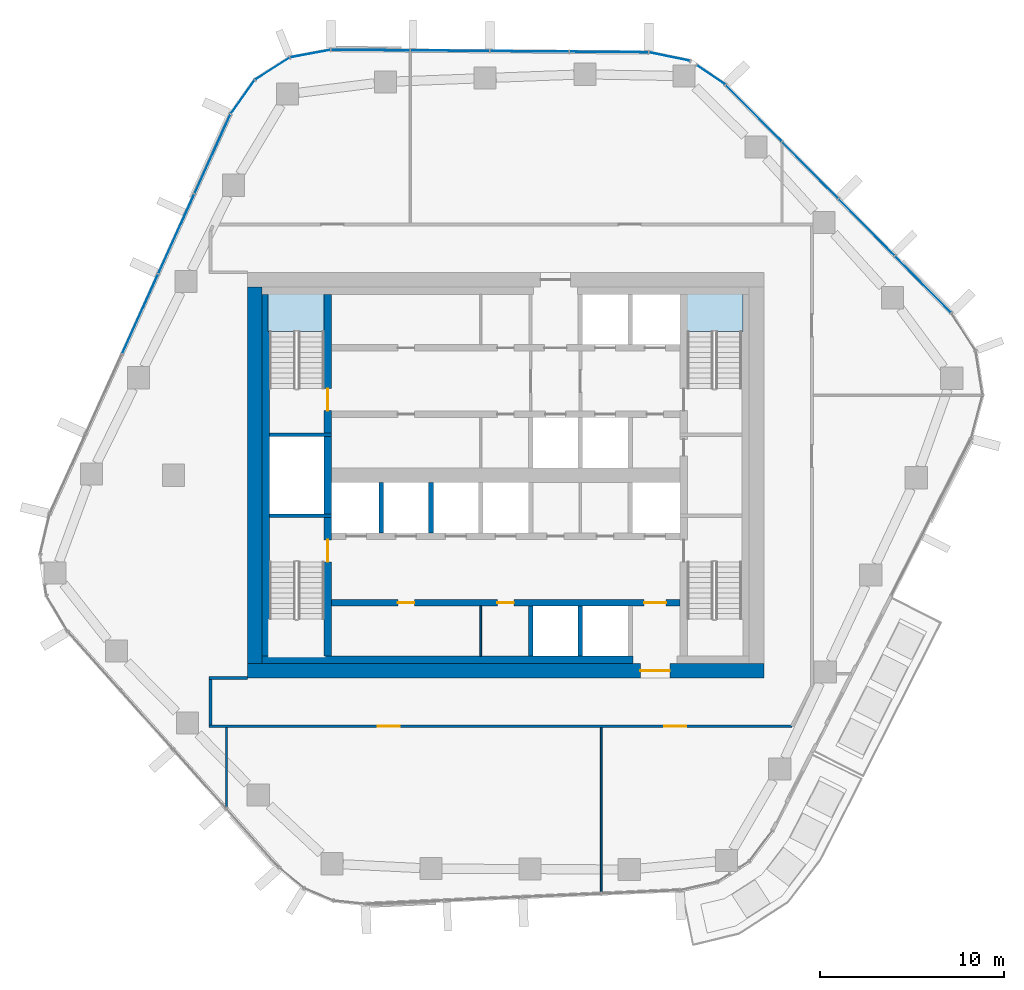
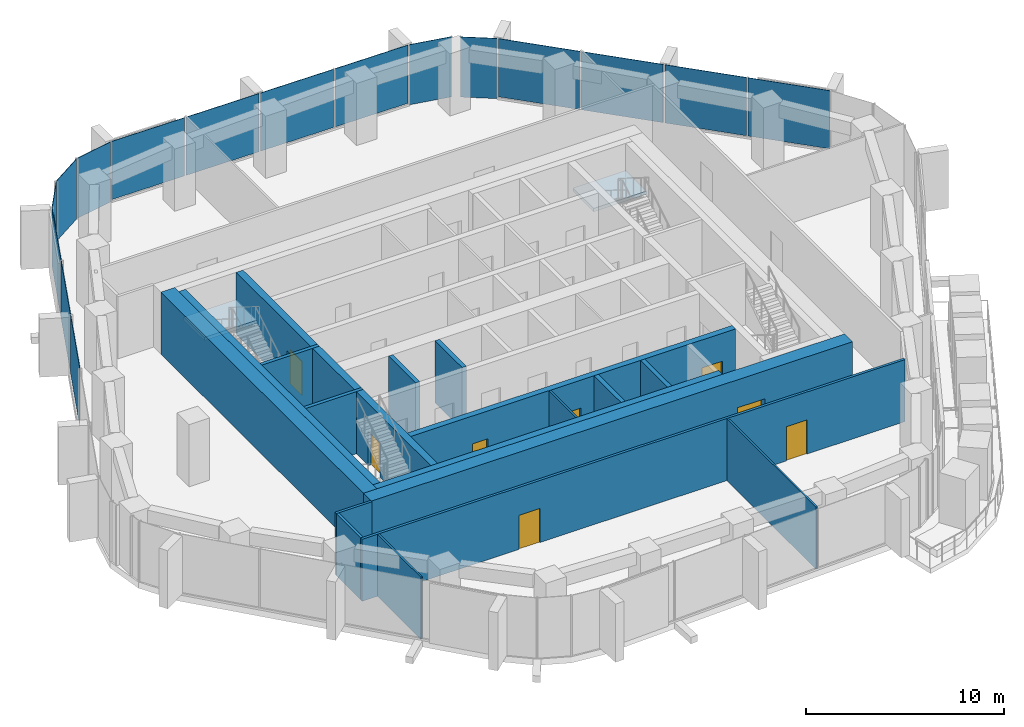
# One storey, part 10 of 17: 20 walls, 16 plates, 8 doors, 2 slabs, 8 openings, 8 elements without a shape of their own.
"""IFC4 building model written with IfcOpenShell, lengths in metres."""

from ifc_helpers import new_model, si_unit, direction, frame, frame_2d, origin, origin_2d, place, context, subcontext, project, spatial, polyline, rectangle, outline, extrude, material, layer, layer_set, type_object, element, fill, aggregate, save


model = new_model("IFC4")

# Units and contexts
model_context = context("Model", 3, precision=1e-05, world=origin(), true_north=direction((0.0, 1.0)))
body_context = subcontext(model_context, "Body", "Model", "MODEL_VIEW")
ifc_project = project(units=[si_unit("LENGTHUNIT", "METRE"), si_unit("AREAUNIT", "SQUARE_METRE"), si_unit("VOLUMEUNIT", "CUBIC_METRE"), si_unit("PLANEANGLEUNIT", "RADIAN"), si_unit("MASSUNIT", "GRAM", prefix="KILO")], contexts=[model_context])

# Site, building, storey
site_placement = place(None, origin())
site = spatial("IfcSite", under=ifc_project, at=site_placement, CompositionType="ELEMENT")
building_placement = place(site_placement, origin())
building = spatial("IfcBuilding", under=site, at=building_placement, Name="Dongbaek Canopy Tower", CompositionType="ELEMENT")
storey_placement = place(building_placement, frame((0.0, 0.0, 175.39990234375)))
storey = spatial("IfcBuildingStorey", under=building, at=storey_placement, Name="L38", CompositionType="ELEMENT", Elevation=175.39990234375)

# Curtain wall, plates
ifc_material_1 = material(Name="Aluminium 6063-T6 pale anodised", Category="aluminium")
ifc_layer_1 = layer(ifc_material_1, 0.199951171875)
ifc_layer_set_1 = layer_set([ifc_layer_1], Name="CW-1 unitised tower curtain wall")
curtain_wall_type = type_object("IfcCurtainWallType", Name="CW-1 unitised tower curtain wall", PredefinedType="NOTDEFINED", material=ifc_layer_set_1)
curtain_wall_1_placement = place(storey_placement, origin())
curtain_wall_1 = element("IfcCurtainWall", 1, at=curtain_wall_1_placement, inside=storey, type_object=curtain_wall_type, Name="CW-1 curtain wall F0.1", PredefinedType="NOTDEFINED")
ifc_material_2 = material(Name="Clear laminated glass", Category="glass")
ifc_layer_2 = layer(ifc_material_2, 0.028076171875)
ifc_layer_set_2 = layer_set([ifc_layer_2], Name="CW-1 glazed panel 28")
plate_type = type_object("IfcPlateType", Name="CW-1 glazed panel 28", PredefinedType="CURTAIN_PANEL", material=ifc_layer_set_2)
plate_1_placement = place(storey_placement, frame((22.62158203125, 10.3505859375, 0.1201171875), z_axis=(0.0, 0.0, 1.0), x_axis=(-0.703200745857, 0.710991357912, 0.0)))
plate_1 = element("IfcPlate", 2, at=plate_1_placement, type_object=plate_type, Name="CW-1 panel F0.1.1.1", PredefinedType="CURTAIN_PANEL", context=body_context, shape_type="SweptSolid", body=[
    extrude(rectangle(XDim=4.25732421875, YDim=0.028076171875, at=origin_2d()), origin(), (0.0, 0.0, 1.0), 3.580078125),
])
plate_2_placement = place(storey_placement, frame((19.56494140625, 13.44091796875, 0.1201171875), z_axis=(0.0, 0.0, 1.0), x_axis=(-0.703200745857, 0.710991357912, 0.0)))
plate_2 = element("IfcPlate", 3, at=plate_2_placement, type_object=plate_type, Name="CW-1 panel F0.1.2.1", PredefinedType="CURTAIN_PANEL", context=body_context, shape_type="SweptSolid", body=[
    extrude(rectangle(XDim=4.267822265625, YDim=0.028076171875, at=origin_2d()), origin(), (0.0, 0.0, 1.0), 3.580078125),
])
plate_3_placement = place(storey_placement, frame((16.504638671875, 16.534912109375, 0.1201171875), z_axis=(0.0, 0.0, 1.0), x_axis=(-0.703200745857, 0.710991357912, 0.0)))
plate_3 = element("IfcPlate", 4, at=plate_3_placement, type_object=plate_type, Name="CW-1 panel F0.1.3.1", PredefinedType="CURTAIN_PANEL", context=body_context, shape_type="SweptSolid", body=[
    extrude(rectangle(XDim=4.267822265625, YDim=0.028076171875, at=origin_2d()), origin(), (0.0, 0.0, 1.0), 3.580078125),
])
plate_4_placement = place(storey_placement, frame((13.447998046875, 19.62548828125, 0.1201171875), z_axis=(0.0, 0.0, 1.0), x_axis=(-0.703200745857, 0.710991357912, 0.0)))
plate_4 = element("IfcPlate", 5, at=plate_4_placement, type_object=plate_type, Name="CW-1 panel F0.1.4.1", PredefinedType="CURTAIN_PANEL", context=body_context, shape_type="SweptSolid", body=[
    extrude(rectangle(XDim=4.258056640625, YDim=0.028076171875, at=origin_2d()), origin(), (0.0, 0.0, 1.0), 3.580078125),
])
aggregate(curtain_wall_1, [plate_1, plate_2, plate_3, plate_4])

# Curtain wall, plate
curtain_wall_2_placement = place(storey_placement, origin())
curtain_wall_2 = element("IfcCurtainWall", 6, at=curtain_wall_2_placement, inside=storey, type_object=curtain_wall_type, Name="CW-1 curtain wall K1.1a", PredefinedType="NOTDEFINED")
plate_5_placement = place(storey_placement, frame((11.130126953125, 21.704833984375, 0.0), z_axis=(0.0, 0.0, 1.0), x_axis=(-0.828068850106, 0.560626417041, 0.0)))
plate_5 = element("IfcPlate", 7, at=plate_5_placement, type_object=plate_type, Name="CW-1 panel K1.1a.1.1", PredefinedType="CURTAIN_PANEL", context=body_context, shape_type="SweptSolid", body=[
    extrude(rectangle(XDim=1.8271484375, YDim=0.028076171875, at=origin_2d()), origin(), (0.0, 0.0, 1.0), 3.699951171875),
])
aggregate(curtain_wall_2, [plate_5])

curtain_wall_3_placement = place(storey_placement, origin())
curtain_wall_3 = element("IfcCurtainWall", 8, at=curtain_wall_3_placement, inside=storey, type_object=curtain_wall_type, Name="CW-1 curtain wall K1.1b", PredefinedType="NOTDEFINED")
plate_6_placement = place(storey_placement, frame((8.884521484375, 22.694091796875, 0.0), z_axis=(0.0, 0.0, 1.0), x_axis=(-0.979342534744, 0.202208307545, 0.0)))
plate_6 = element("IfcPlate", 9, at=plate_6_placement, type_object=plate_type, Name="CW-1 panel K1.1b.1.1", PredefinedType="CURTAIN_PANEL", context=body_context, shape_type="SweptSolid", body=[
    extrude(rectangle(XDim=2.220458984375, YDim=0.028076171875, at=origin_2d()), origin(), (0.0, 0.0, 1.0), 3.699951171875),
])
aggregate(curtain_wall_3, [plate_6])

# Curtain wall, plates
curtain_wall_4_placement = place(storey_placement, origin())
curtain_wall_4 = element("IfcCurtainWall", 10, at=curtain_wall_4_placement, inside=storey, type_object=curtain_wall_type, Name="CW-1 curtain wall F1.1", PredefinedType="NOTDEFINED")
plate_7_placement = place(storey_placement, frame((5.6044921875, 22.944091796875, 0.1201171875), z_axis=(0.0, 0.0, 1.0), x_axis=(-0.999969209426, 0.007847305301, 0.0)))
plate_7 = element("IfcPlate", 11, at=plate_7_placement, type_object=plate_type, Name="CW-1 panel F1.1.1.1", PredefinedType="CURTAIN_PANEL", context=body_context, shape_type="SweptSolid", body=[
    extrude(rectangle(XDim=4.219482421875, YDim=0.028076171875, at=origin_2d()), origin(), (0.0, 0.0, 1.0), 3.580078125),
])
plate_8_placement = place(storey_placement, frame((1.296142578125, 22.977783203125, 0.1201171875), z_axis=(0.0, 0.0, 1.0), x_axis=(-0.999969209426, 0.007847305301, 0.0)))
plate_8 = element("IfcPlate", 12, at=plate_8_placement, type_object=plate_type, Name="CW-1 panel F1.1.2.1", PredefinedType="CURTAIN_PANEL", context=body_context, shape_type="SweptSolid", body=[
    extrude(rectangle(XDim=4.229248046875, YDim=0.028076171875, at=origin_2d()), origin(), (0.0, 0.0, 1.0), 3.580078125),
])
plate_9_placement = place(storey_placement, frame((-3.016845703125, 23.01171875, 0.1201171875), z_axis=(0.0, 0.0, 1.0), x_axis=(-0.999969209426, 0.007847305301, 0.0)))
plate_9 = element("IfcPlate", 13, at=plate_9_placement, type_object=plate_type, Name="CW-1 panel F1.1.3.1", PredefinedType="CURTAIN_PANEL", context=body_context, shape_type="SweptSolid", body=[
    extrude(rectangle(XDim=4.229248046875, YDim=0.028076171875, at=origin_2d()), origin(), (0.0, 0.0, 1.0), 3.580078125),
])
plate_10_placement = place(storey_placement, frame((-7.3251953125, 23.04541015625, 0.1201171875), z_axis=(0.0, 0.0, 1.0), x_axis=(-0.999969209426, 0.007847305301, 0.0)))
plate_10 = element("IfcPlate", 14, at=plate_10_placement, type_object=plate_type, Name="CW-1 panel F1.1.4.1", PredefinedType="CURTAIN_PANEL", context=body_context, shape_type="SweptSolid", body=[
    extrude(rectangle(XDim=4.219482421875, YDim=0.028076171875, at=origin_2d()), origin(), (0.0, 0.0, 1.0), 3.580078125),
])
aggregate(curtain_wall_4, [plate_7, plate_8, plate_9, plate_10])

curtain_wall_5_placement = place(storey_placement, origin())
curtain_wall_5 = element("IfcCurtainWall", 15, at=curtain_wall_5_placement, inside=storey, type_object=curtain_wall_type, Name="CW-1 curtain wall K2.1", PredefinedType="NOTDEFINED")
plate_11_placement = place(storey_placement, frame((-10.58984375, 22.854736328125, 0.0), z_axis=(0.0, 0.0, 1.0), x_axis=(-0.983033498576, -0.183426117763, 0.0)))
plate_11 = element("IfcPlate", 16, at=plate_11_placement, type_object=plate_type, Name="CW-1 panel K2.1.1.1", PredefinedType="CURTAIN_PANEL", context=body_context, shape_type="SweptSolid", body=[
    extrude(rectangle(XDim=2.180419921875, YDim=0.028076171875, at=origin_2d()), origin(), (0.0, 0.0, 1.0), 3.699951171875),
])
plate_12_placement = place(storey_placement, frame((-12.652587890625, 22.03955078125, 0.0), z_axis=(0.0, 0.0, 1.0), x_axis=(-0.842382800388, -0.538879594724, 0.0)))
plate_12 = element("IfcPlate", 17, at=plate_12_placement, type_object=plate_type, Name="CW-1 panel K2.1.2.1", PredefinedType="CURTAIN_PANEL", context=body_context, shape_type="SweptSolid", body=[
    extrude(rectangle(XDim=2.170654296875, YDim=0.028076171875, at=origin_2d()), origin(), (0.0, 0.0, 1.0), 3.699951171875),
])
plate_13_placement = place(storey_placement, frame((-14.25732421875, 20.508544921875, 0.0), z_axis=(0.0, 0.0, 1.0), x_axis=(-0.578634877813, -0.815586707946, 0.0)))
plate_13 = element("IfcPlate", 18, at=plate_13_placement, type_object=plate_type, Name="CW-1 panel K2.1.3.1", PredefinedType="CURTAIN_PANEL", context=body_context, shape_type="SweptSolid", body=[
    extrude(rectangle(XDim=2.180419921875, YDim=0.028076171875, at=origin_2d()), origin(), (0.0, 0.0, 1.0), 3.699951171875),
])
aggregate(curtain_wall_5, [plate_11, plate_12, plate_13])

curtain_wall_6_placement = place(storey_placement, origin())
curtain_wall_6 = element("IfcCurtainWall", 19, at=curtain_wall_6_placement, inside=storey, type_object=curtain_wall_type, Name="CW-1 curtain wall F2.1", PredefinedType="NOTDEFINED")
plate_14_placement = place(storey_placement, frame((-15.8916015625, 17.420654296875, 0.1201171875), z_axis=(0.0, 0.0, 1.0), x_axis=(-0.412080199763, -0.911147578037, 0.0)))
plate_14 = element("IfcPlate", 20, at=plate_14_placement, type_object=plate_type, Name="CW-1 panel F2.1.1.1", PredefinedType="CURTAIN_PANEL", context=body_context, shape_type="SweptSolid", body=[
    extrude(rectangle(XDim=4.667236328125, YDim=0.028076171875, at=origin_2d()), origin(), (0.0, 0.0, 1.0), 3.580078125),
])
plate_15_placement = place(storey_placement, frame((-17.8515625, 13.0869140625, 0.1201171875), z_axis=(0.0, 0.0, 1.0), x_axis=(-0.412080199763, -0.911147578037, 0.0)))
plate_15 = element("IfcPlate", 21, at=plate_15_placement, type_object=plate_type, Name="CW-1 panel F2.1.2.1", PredefinedType="CURTAIN_PANEL", context=body_context, shape_type="SweptSolid", body=[
    extrude(rectangle(XDim=4.677001953125, YDim=0.028076171875, at=origin_2d()), origin(), (0.0, 0.0, 1.0), 3.580078125),
])
plate_16_placement = place(storey_placement, frame((-19.8134765625, 8.7490234375, 0.1201171875), z_axis=(0.0, 0.0, 1.0), x_axis=(-0.412080199763, -0.911147578037, 0.0)))
plate_16 = element("IfcPlate", 22, at=plate_16_placement, type_object=plate_type, Name="CW-1 panel F2.1.3.1", PredefinedType="CURTAIN_PANEL", context=body_context, shape_type="SweptSolid", body=[
    extrude(rectangle(XDim=4.677001953125, YDim=0.028076171875, at=origin_2d()), origin(), (0.0, 0.0, 1.0), 3.580078125),
])
aggregate(curtain_wall_6, [plate_14, plate_15, plate_16])

# Stair, slab
ifc_material_3 = material(Name="Concrete C40/50", Category="concrete")
stair_type = type_object("IfcStairType", Name="Core exit stair", PredefinedType="HALF_TURN_STAIR", material=ifc_material_3)
stair_1_placement = place(storey_placement, origin())
stair_1 = element("IfcStair", 23, at=stair_1_placement, inside=storey, type_object=stair_type, Name="L38 exit stair A", PredefinedType="HALF_TURN_STAIR")
ifc_material_4 = material(Name="Concrete C40/50", Category="concrete")
ifc_layer_3 = layer(ifc_material_4, 0.199951171875)
ifc_layer_set_3 = layer_set([ifc_layer_3], Name="Core stair landing 200")
slab_type = type_object("IfcSlabType", Name="Core stair landing 200", PredefinedType="LANDING", material=ifc_layer_set_3)
slab_1_placement = place(storey_placement, frame((0.0, 0.0, 1.900146484375)))
slab_1 = element("IfcSlab", 24, at=slab_1_placement, type_object=slab_type, Name="ST-A landing 1", PredefinedType="LANDING", context=body_context, shape_type="SweptSolid", body=[
    extrude(outline(polyline([(12.875, 7.780029296875), (12.875, 9.875), (9.77490234375, 9.875), (9.77490234375, 7.780029296875), (12.875, 7.780029296875)])), origin(), (0.0, 0.0, 1.0), 0.199951171875),
])
aggregate(stair_1, [slab_1])

stair_2_placement = place(storey_placement, origin())
stair_2 = element("IfcStair", 25, at=stair_2_placement, inside=storey, type_object=stair_type, Name="L38 exit stair C", PredefinedType="HALF_TURN_STAIR")
slab_2_placement = place(storey_placement, frame((0.0, 0.0, 1.900146484375)))
slab_2 = element("IfcSlab", 26, at=slab_2_placement, type_object=slab_type, Name="ST-C landing 1", PredefinedType="LANDING", context=body_context, shape_type="SweptSolid", body=[
    extrude(outline(polyline([(-9.77490234375, 7.780029296875), (-9.77490234375, 9.875), (-12.875, 9.875), (-12.875, 7.780029296875), (-9.77490234375, 7.780029296875)])), origin(), (0.0, 0.0, 1.0), 0.199951171875),
])
aggregate(stair_2, [slab_2])

# Wall, openings, doors
ifc_material_5 = material(Name="Concrete C60/75", Category="concrete")
ifc_layer_4 = layer(ifc_material_5, 0.35009765625)
ifc_layer_set_4 = layer_set([ifc_layer_4], Name="Core lobby wall 350 Concrete C60/75")
wall_type_1 = type_object("IfcWallType", Name="Core lobby wall 350 Concrete C60/75", PredefinedType="SHEAR", material=ifc_layer_set_4)
wall_1_placement = place(storey_placement, frame((9.449951171875, -6.89990234375, 0.0), z_axis=(0.0, 0.0, 1.0), x_axis=(-1.0, 0.0, 0.0)))
wall_1 = element("IfcWall", 27, at=wall_1_placement, inside=storey, type_object=wall_type_1, Name="Core wall", PredefinedType="SHEAR", context=body_context, shape_type="SweptSolid", body=[
    extrude(rectangle(XDim=18.89990234375, YDim=0.35009765625, at=frame_2d((9.449951171875, 0.0))), origin(), (0.0, 0.0, 1.0), 3.820068359375),
])
opening_1_placement = place(wall_1_placement, frame((0.75, 0.0, 0.0)))
opening_1 = element("IfcOpeningElement", 28, at=opening_1_placement, cuts=wall_1, Name="Opening L38-D021", PredefinedType="OPENING", context=body_context, shape_type="SweptSolid", body=[
    extrude(rectangle(XDim=1.199951171875, YDim=2.10009765625, at=frame_2d((0.60009765625, 1.050048828125))), frame((0.0, 0.18505859375, 0.0), z_axis=(0.0, -1.0, 0.0), x_axis=(1.0, 0.0, 0.0)), (0.0, 0.0, 1.0), 0.3701171875),
])
opening_2_placement = place(wall_1_placement, frame((14.39990234375, 0.0, 0.0)))
opening_2 = element("IfcOpeningElement", 29, at=opening_2_placement, cuts=wall_1, Name="Opening L38-D028", PredefinedType="OPENING", context=body_context, shape_type="SweptSolid", body=[
    extrude(rectangle(XDim=0.89990234375, YDim=2.10009765625, at=frame_2d((0.449951171875, 1.050048828125))), frame((0.0, 0.18505859375, 0.0), z_axis=(0.0, -1.0, 0.0), x_axis=(1.0, 0.0, 0.0)), (0.0, 0.0, 1.0), 0.3701171875),
])
opening_3_placement = place(wall_1_placement, frame((9.0, 0.0, 0.0)))
opening_3 = element("IfcOpeningElement", 30, at=opening_3_placement, cuts=wall_1, Name="Opening L38-D029", PredefinedType="OPENING", context=body_context, shape_type="SweptSolid", body=[
    extrude(rectangle(XDim=0.89990234375, YDim=2.10009765625, at=frame_2d((0.449951171875, 1.050048828125))), frame((0.0, 0.18505859375, 0.0), z_axis=(0.0, -1.0, 0.0), x_axis=(1.0, 0.0, 0.0)), (0.0, 0.0, 1.0), 0.3701171875),
])
ifc_material_6 = material(Name="Steel", Category="steel")
door_type_1 = type_object("IfcDoorType", Name="Core room door 900 x 2100", OperationType="SINGLE_SWING_LEFT", PredefinedType="DOOR", material=ifc_material_6)
door_1_placement = place(opening_2_placement, origin())
door_1 = element("IfcDoor", 31, at=door_1_placement, inside=storey, type_object=door_type_1, Name="Door L38-D028", OperationType="SINGLE_SWING_RIGHT", OverallHeight=2.10009765625, OverallWidth=0.89990234375, PredefinedType="DOOR", context=body_context, shape_type="SweptSolid", body=[
    extrude(rectangle(XDim=0.89990234375, YDim=2.10009765625, at=frame_2d((0.449951171875, 1.050048828125))), frame((0.0, 0.02490234375, 0.0), z_axis=(0.0, -1.0, 0.0), x_axis=(1.0, 0.0, 0.0)), (0.0, 0.0, 1.0), 0.050048828125),
])
fill(opening_2, door_1)
door_2_placement = place(opening_3_placement, origin())
door_2 = element("IfcDoor", 32, at=door_2_placement, inside=storey, type_object=door_type_1, Name="Door L38-D029", OperationType="SINGLE_SWING_LEFT", OverallHeight=2.10009765625, OverallWidth=0.89990234375, PredefinedType="DOOR", context=body_context, shape_type="SweptSolid", body=[
    extrude(rectangle(XDim=0.89990234375, YDim=2.10009765625, at=frame_2d((0.449951171875, 1.050048828125))), frame((0.0, 0.02490234375, 0.0), z_axis=(0.0, -1.0, 0.0), x_axis=(1.0, 0.0, 0.0)), (0.0, 0.0, 1.0), 0.050048828125),
])
fill(opening_3, door_2)
ifc_material_7 = material(Name="Steel", Category="steel")
door_type_2 = type_object("IfcDoorType", Name="Fire lobby door 1200 x 2100", OperationType="SINGLE_SWING_LEFT", PredefinedType="DOOR", material=ifc_material_7)
door_3_placement = place(opening_1_placement, origin())
door_3 = element("IfcDoor", 33, at=door_3_placement, inside=storey, type_object=door_type_2, Name="Door L38-D021", OperationType="SINGLE_SWING_LEFT", OverallHeight=2.10009765625, OverallWidth=1.199951171875, PredefinedType="DOOR", context=body_context, shape_type="SweptSolid", body=[
    extrude(rectangle(XDim=1.199951171875, YDim=2.10009765625, at=frame_2d((0.60009765625, 1.050048828125))), frame((0.0, 0.02490234375, 0.0), z_axis=(0.0, -1.0, 0.0), x_axis=(1.0, 0.0, 0.0)), (0.0, 0.0, 1.0), 0.050048828125),
])
fill(opening_1, door_3)

# Wall, opening, door
ifc_material_8 = material(Name="Concrete C70/85", Category="concrete")
ifc_layer_5 = layer(ifc_material_8, 0.800048828125)
ifc_layer_set_5 = layer_set([ifc_layer_5], Name="Core outer wall 800 Concrete C70/85")
wall_type_2 = type_object("IfcWallType", Name="Core outer wall 800 Concrete C70/85", PredefinedType="SHEAR", material=ifc_layer_set_5)
wall_2_placement = place(storey_placement, frame((14.0, -10.60009765625, 0.0), z_axis=(0.0, 0.0, 1.0), x_axis=(-1.0, 0.0, 0.0)))
wall_2 = element("IfcWall", 34, at=wall_2_placement, inside=storey, type_object=wall_type_2, Name="Core wall", PredefinedType="SHEAR", context=body_context, shape_type="SweptSolid", body=[
    extrude(rectangle(XDim=28.0, YDim=0.800048828125, at=frame_2d((14.0, 0.0))), origin(), (0.0, 0.0, 1.0), 3.820068359375),
])
opening_4_placement = place(wall_2_placement, frame((5.10009765625, 0.0, 0.0)))
opening_4 = element("IfcOpeningElement", 35, at=opening_4_placement, cuts=wall_2, Name="Opening L38-D020", PredefinedType="OPENING", context=body_context, shape_type="SweptSolid", body=[
    extrude(rectangle(XDim=1.60009765625, YDim=2.10009765625, at=frame_2d((0.800048828125, 1.050048828125))), frame((0.0, 0.409912109375, 0.0), z_axis=(0.0, -1.0, 0.0), x_axis=(1.0, 0.0, 0.0)), (0.0, 0.0, 1.0), 0.820068359375),
])
ifc_material_9 = material(Name="Steel", Category="steel")
door_type_3 = type_object("IfcDoorType", Name="Core exit door 1600 x 2100", OperationType="DOUBLE_DOOR_SINGLE_SWING", PredefinedType="DOOR", material=ifc_material_9)
door_4_placement = place(opening_4_placement, origin())
door_4 = element("IfcDoor", 36, at=door_4_placement, inside=storey, type_object=door_type_3, Name="Core exit door", OperationType="DOUBLE_DOOR_SINGLE_SWING", OverallHeight=2.10009765625, OverallWidth=1.60009765625, PredefinedType="DOOR", context=body_context, shape_type="SweptSolid", body=[
    extrude(rectangle(XDim=1.60009765625, YDim=2.10009765625, at=frame_2d((0.800048828125, 1.050048828125))), frame((0.0, 0.02490234375, 0.0), z_axis=(0.0, -1.0, 0.0), x_axis=(1.0, 0.0, 0.0)), (0.0, 0.0, 1.0), 0.050048828125),
])
fill(opening_4, door_4)

# Walls
wall_3_placement = place(storey_placement, frame((-13.60009765625, -10.199951171875, 0.0), z_axis=(0.0, 0.0, 1.0), x_axis=(0.0, 1.0, 0.0)))
element("IfcWall", 37, at=wall_3_placement, inside=storey, type_object=wall_type_2, Name="Core wall", PredefinedType="SHEAR", context=body_context, shape_type="SweptSolid", body=[
    extrude(rectangle(XDim=20.39990234375, YDim=0.800048828125, at=frame_2d((10.199951171875, 0.0))), origin(), (0.0, 0.0, 1.0), 3.820068359375),
])
ifc_material_10 = material(Name="Concrete C60/75", Category="concrete")
ifc_layer_6 = layer(ifc_material_10, 0.39990234375)
ifc_layer_set_6 = layer_set([ifc_layer_6], Name="Core wall lining 400 Concrete C60/75")
wall_type_3 = type_object("IfcWallType", Name="Core wall lining 400 Concrete C60/75", PredefinedType="SHEAR", material=ifc_layer_set_6)
wall_4_placement = place(storey_placement, frame((6.89990234375, -10.0, 0.0), z_axis=(0.0, 0.0, 1.0), x_axis=(-1.0, 0.0, 0.0)))
element("IfcWall", 38, at=wall_4_placement, inside=storey, type_object=wall_type_3, Name="Core wall lining", PredefinedType="SHEAR", context=body_context, shape_type="SweptSolid", body=[
    extrude(rectangle(XDim=20.099853515625, YDim=0.39990234375, at=frame_2d((10.0498046875, 0.0))), origin(), (0.0, 0.0, 1.0), 3.820068359375),
])
wall_5_placement = place(storey_placement, frame((-13.0, -9.800048828125, 0.0), z_axis=(0.0, 0.0, 1.0), x_axis=(0.0, 1.0, 0.0)))
element("IfcWall", 39, at=wall_5_placement, inside=storey, type_object=wall_type_3, Name="Core wall lining", PredefinedType="SHEAR", context=body_context, shape_type="SweptSolid", body=[
    extrude(rectangle(XDim=19.60009765625, YDim=0.39990234375, at=frame_2d((9.800048828125, 0.0))), origin(), (0.0, 0.0, 1.0), 3.820068359375),
])

# Wall, openings, doors
ifc_material_11 = material(Name="Gypsum board partition, steel stud, 2 x 15 mm fire board", Category="steel")
ifc_layer_7 = layer(ifc_material_11, 0.14990234375)
ifc_layer_set_7 = layer_set([ifc_layer_7], Name="Fire-rated partition 150 gypsum board")
wall_type_4 = type_object("IfcWallType", Name="Fire-rated partition 150 gypsum board", PredefinedType="PARTITIONING", material=ifc_layer_set_7)
wall_6_placement = place(storey_placement, frame((15.51025390625, -13.60009765625, 0.0), z_axis=(0.0, 0.0, 1.0), x_axis=(-1.0, 0.0, 0.0)))
wall_6 = element("IfcWall", 40, at=wall_6_placement, inside=storey, type_object=wall_type_4, Name="Corridor partition", PredefinedType="PARTITIONING", context=body_context, shape_type="SweptSolid", body=[
    extrude(rectangle(XDim=31.585205078125, YDim=0.14990234375, at=frame_2d((15.79248046875, 0.0))), origin(), (0.0, 0.0, 1.0), 3.820068359375),
])
opening_5_placement = place(wall_6_placement, frame((21.252685546875, 0.0, 0.0)))
opening_5 = element("IfcOpeningElement", 41, at=opening_5_placement, cuts=wall_6, Name="Opening L38-D001", PredefinedType="OPENING", context=body_context, shape_type="SweptSolid", body=[
    extrude(rectangle(XDim=1.199951171875, YDim=2.10009765625, at=frame_2d((0.60009765625, 1.050048828125))), frame((0.0, 0.0849609375, 0.0), z_axis=(0.0, -1.0, 0.0), x_axis=(1.0, 0.0, 0.0)), (0.0, 0.0, 1.0), 0.169921875),
])
opening_6_placement = place(wall_6_placement, frame((5.715087890625, 0.0, 0.0)))
opening_6 = element("IfcOpeningElement", 42, at=opening_6_placement, cuts=wall_6, Name="Opening L38-D002", PredefinedType="OPENING", context=body_context, shape_type="SweptSolid", body=[
    extrude(rectangle(XDim=1.199951171875, YDim=2.10009765625, at=frame_2d((0.60009765625, 1.050048828125))), frame((0.0, 0.0849609375, 0.0), z_axis=(0.0, -1.0, 0.0), x_axis=(1.0, 0.0, 0.0)), (0.0, 0.0, 1.0), 0.169921875),
])
ifc_material_12 = material(Name="Timber veneered door leaf", Category="wood")
door_type_4 = type_object("IfcDoorType", Name="Room door 1200 x 2100", OperationType="SINGLE_SWING_LEFT", PredefinedType="DOOR", material=ifc_material_12)
door_5_placement = place(opening_5_placement, origin())
door_5 = element("IfcDoor", 43, at=door_5_placement, inside=storey, type_object=door_type_4, Name="Door L38-D001", OperationType="SINGLE_SWING_RIGHT", OverallHeight=2.10009765625, OverallWidth=1.199951171875, PredefinedType="DOOR", context=body_context, shape_type="SweptSolid", body=[
    extrude(rectangle(XDim=1.199951171875, YDim=2.10009765625, at=frame_2d((0.60009765625, 1.050048828125))), frame((0.0, 0.02490234375, 0.0), z_axis=(0.0, -1.0, 0.0), x_axis=(1.0, 0.0, 0.0)), (0.0, 0.0, 1.0), 0.050048828125),
])
fill(opening_5, door_5)
door_6_placement = place(opening_6_placement, origin())
door_6 = element("IfcDoor", 44, at=door_6_placement, inside=storey, type_object=door_type_4, Name="Door L38-D002", OperationType="SINGLE_SWING_LEFT", OverallHeight=2.10009765625, OverallWidth=1.199951171875, PredefinedType="DOOR", context=body_context, shape_type="SweptSolid", body=[
    extrude(rectangle(XDim=1.199951171875, YDim=2.10009765625, at=frame_2d((0.60009765625, 1.050048828125))), frame((0.0, 0.02490234375, 0.0), z_axis=(0.0, -1.0, 0.0), x_axis=(1.0, 0.0, 0.0)), (0.0, 0.0, 1.0), 0.050048828125),
])
fill(opening_6, door_6)

# Walls
wall_7_placement = place(storey_placement, frame((-16.074951171875, -10.9970703125, 0.0), z_axis=(0.0, 0.0, 1.0), x_axis=(1.0, 0.0, 0.0)))
element("IfcWall", 45, at=wall_7_placement, inside=storey, type_object=wall_type_4, Name="Corridor partition", PredefinedType="PARTITIONING", context=body_context, shape_type="SweptSolid", body=[
    extrude(rectangle(XDim=2.074951171875, YDim=0.14990234375, at=frame_2d((1.03759765625, 0.0))), origin(), (0.0, 0.0, 1.0), 3.820068359375),
])
wall_8_placement = place(storey_placement, frame((-16.0, -13.52490234375, 0.0), z_axis=(0.0, 0.0, 1.0), x_axis=(0.0, 1.0, 0.0)))
element("IfcWall", 46, at=wall_8_placement, inside=storey, type_object=wall_type_4, Name="Corridor partition", PredefinedType="PARTITIONING", context=body_context, shape_type="SweptSolid", body=[
    extrude(rectangle(XDim=2.452880859375, YDim=0.14990234375, at=frame_2d((1.2265625, 0.0))), origin(), (0.0, 0.0, 1.0), 3.820068359375),
])
ifc_material_13 = material(Name="Concrete C40/50", Category="concrete")
ifc_layer_8 = layer(ifc_material_13, 0.25)
ifc_layer_set_8 = layer_set([ifc_layer_8], Name="Lift shaft wall 250 Concrete C40/50")
wall_type_5 = type_object("IfcWallType", Name="Lift shaft wall 250 Concrete C40/50", PredefinedType="SOLIDWALL", material=ifc_layer_set_8)
for number, where, z_axis, x_axis, name in (
    (47, (4.050048828125, -9.800048828125, 0.0), (0.0, 0.0, 1.0), (0.0, 1.0, 0.0), "Lift shaft wall"),
    (48, (1.35009765625, -9.800048828125, 0.0), (0.0, 0.0, 1.0), (0.0, 1.0, 0.0), "Lift shaft wall"),
    (49, (-4.050048828125, -3.125, 0.0), (0.0, 0.0, 1.0), (0.0, 1.0, 0.0), "Lift shaft wall"),
    (50, (-6.75, -3.125, 0.0), (0.0, 0.0, 1.0), (0.0, 1.0, 0.0), "Lift shaft wall"),
):
    element("IfcWall", number, at=place(storey_placement, frame(where, z_axis=z_axis, x_axis=x_axis)), inside=storey, type_object=wall_type_5, Name=name, PredefinedType="SOLIDWALL", context=body_context, shape_type="SweptSolid", body=[
        extrude(rectangle(XDim=2.72509765625, YDim=0.25, at=frame_2d((1.362548828125, 0.0))), origin(), (0.0, 0.0, 1.0), 3.820068359375),
    ])
ifc_material_14 = material(Name="Gypsum board partition, steel stud, 2 x 12.5 mm board", Category="steel")
ifc_layer_9 = layer(ifc_material_14, 0.10009765625)
ifc_layer_set_9 = layer_set([ifc_layer_9], Name="Partition 100 gypsum board")
wall_type_6 = type_object("IfcWallType", Name="Partition 100 gypsum board", PredefinedType="PARTITIONING", material=ifc_layer_set_9)
wall_9_placement = place(storey_placement, frame((5.18310546875, -22.66259765625, 0.0), z_axis=(0.0, 0.0, 1.0), x_axis=(0.0, 1.0, 0.0)))
element("IfcWall", 51, at=wall_9_placement, inside=storey, type_object=wall_type_6, Name="Partition", PredefinedType="PARTITIONING", context=body_context, shape_type="SweptSolid", body=[
    extrude(rectangle(XDim=8.987548828125, YDim=0.10009765625, at=frame_2d((4.49365234375, 0.0))), origin(), (0.0, 0.0, 1.0), 3.820068359375),
])
wall_10_placement = place(storey_placement, frame((-15.135009765625, -18.04638671875, 0.0), z_axis=(0.0, 0.0, 1.0), x_axis=(0.0, 1.0, 0.0)))
element("IfcWall", 52, at=wall_10_placement, inside=storey, type_object=wall_type_6, Name="Partition", PredefinedType="PARTITIONING", context=body_context, shape_type="SweptSolid", body=[
    extrude(rectangle(XDim=4.371337890625, YDim=0.10009765625, at=frame_2d((2.185546875, 0.0))), origin(), (0.0, 0.0, 1.0), 3.820068359375),
])
wall_11_placement = place(storey_placement, frame((-1.35009765625, -9.800048828125, 0.0), z_axis=(0.0, 0.0, 1.0), x_axis=(0.0, 1.0, 0.0)))
element("IfcWall", 53, at=wall_11_placement, inside=storey, type_object=wall_type_6, Name="Core partition", PredefinedType="PARTITIONING", context=body_context, shape_type="SweptSolid", body=[
    extrude(rectangle(XDim=2.72509765625, YDim=0.10009765625, at=frame_2d((1.362548828125, 0.0))), origin(), (0.0, 0.0, 1.0), 3.820068359375),
])
ifc_material_15 = material(Name="Concrete C60/75", Category="concrete")
ifc_layer_10 = layer(ifc_material_15, 0.199951171875)
ifc_layer_set_10 = layer_set([ifc_layer_10], Name="Riser wall 200 Concrete C60/75")
wall_type_7 = type_object("IfcWallType", Name="Riser wall 200 Concrete C60/75", PredefinedType="SHEAR", material=ifc_layer_set_10)
for number, where, z_axis, x_axis, name in (
    (54, (-9.449951171875, 2.199951171875, 0.0), (0.0, 0.0, 1.0), (-1.0, 0.0, 0.0), "Riser wall"),
    (55, (-9.449951171875, -2.199951171875, 0.0), (0.0, 0.0, 1.0), (-1.0, 0.0, 0.0), "Riser wall"),
):
    element("IfcWall", number, at=place(storey_placement, frame(where, z_axis=z_axis, x_axis=x_axis)), inside=storey, type_object=wall_type_7, Name=name, PredefinedType="SHEAR", context=body_context, shape_type="SweptSolid", body=[
        extrude(rectangle(XDim=3.35009765625, YDim=0.199951171875, at=frame_2d((1.675048828125, 0.0))), origin(), (0.0, 0.0, 1.0), 3.820068359375),
    ])

# Wall, opening, door
ifc_material_16 = material(Name="Concrete C60/75", Category="concrete")
ifc_layer_11 = layer(ifc_material_16, 0.39990234375)
ifc_layer_set_11 = layer_set([ifc_layer_11], Name="Stair wall 400 Concrete C60/75")
wall_type_8 = type_object("IfcWallType", Name="Stair wall 400 Concrete C60/75", PredefinedType="SHEAR", material=ifc_layer_set_11)
wall_12_placement = place(storey_placement, frame((-9.64990234375, -9.800048828125, 0.0), z_axis=(0.0, 0.0, 1.0), x_axis=(0.0, 1.0, 0.0)))
wall_12 = element("IfcWall", 56, at=wall_12_placement, inside=storey, type_object=wall_type_8, Name="Stair wall", PredefinedType="SHEAR", context=body_context, shape_type="SweptSolid", body=[
    extrude(rectangle(XDim=7.5, YDim=0.39990234375, at=frame_2d((3.75, 0.0))), origin(), (0.0, 0.0, 1.0), 3.820068359375),
])
opening_7_placement = place(wall_12_placement, frame((5.10009765625, 0.0, 0.0)))
opening_7 = element("IfcOpeningElement", 57, at=opening_7_placement, cuts=wall_12, Name="Opening L38-D033", PredefinedType="OPENING", context=body_context, shape_type="SweptSolid", body=[
    extrude(rectangle(XDim=1.199951171875, YDim=2.10009765625, at=frame_2d((0.60009765625, 1.050048828125))), frame((0.0, 0.2099609375, 0.0), z_axis=(0.0, -1.0, 0.0), x_axis=(1.0, 0.0, 0.0)), (0.0, 0.0, 1.0), 0.419921875),
])
ifc_material_17 = material(Name="Steel", Category="steel")
door_type_5 = type_object("IfcDoorType", Name="Stair door 1200 x 2100", OperationType="SINGLE_SWING_LEFT", PredefinedType="DOOR", material=ifc_material_17)
door_7_placement = place(opening_7_placement, origin())
door_7 = element("IfcDoor", 58, at=door_7_placement, inside=storey, type_object=door_type_5, Name="Stair D door", OperationType="SINGLE_SWING_LEFT", OverallHeight=2.10009765625, OverallWidth=1.199951171875, PredefinedType="DOOR", context=body_context, shape_type="SweptSolid", body=[
    extrude(rectangle(XDim=1.199951171875, YDim=2.10009765625, at=frame_2d((0.60009765625, 1.050048828125))), frame((0.0, 0.02490234375, 0.0), z_axis=(0.0, -1.0, 0.0), x_axis=(1.0, 0.0, 0.0)), (0.0, 0.0, 1.0), 0.050048828125),
])
fill(opening_7, door_7)

# Wall
wall_13_placement = place(storey_placement, frame((-9.64990234375, -2.10009765625, 0.0), z_axis=(0.0, 0.0, 1.0), x_axis=(0.0, 1.0, 0.0)))
element("IfcWall", 59, at=wall_13_placement, inside=storey, type_object=wall_type_8, Name="Stair wall", PredefinedType="SHEAR", context=body_context, shape_type="SweptSolid", body=[
    extrude(rectangle(XDim=4.2001953125, YDim=0.39990234375, at=frame_2d((2.10009765625, 0.0))), origin(), (0.0, 0.0, 1.0), 3.820068359375),
])

# Wall, opening, door
wall_14_placement = place(storey_placement, frame((-9.64990234375, 2.300048828125, 0.0), z_axis=(0.0, 0.0, 1.0), x_axis=(0.0, 1.0, 0.0)))
wall_14 = element("IfcWall", 60, at=wall_14_placement, inside=storey, type_object=wall_type_8, Name="Stair wall", PredefinedType="SHEAR", context=body_context, shape_type="SweptSolid", body=[
    extrude(rectangle(XDim=7.5, YDim=0.39990234375, at=frame_2d((3.75, 0.0))), origin(), (0.0, 0.0, 1.0), 3.820068359375),
])
opening_8_placement = place(wall_14_placement, frame((1.199951171875, 0.0, 0.0)))
opening_8 = element("IfcOpeningElement", 61, at=opening_8_placement, cuts=wall_14, Name="Opening L38-D031", PredefinedType="OPENING", context=body_context, shape_type="SweptSolid", body=[
    extrude(rectangle(XDim=1.199951171875, YDim=2.10009765625, at=frame_2d((0.60009765625, 1.050048828125))), frame((0.0, 0.2099609375, 0.0), z_axis=(0.0, -1.0, 0.0), x_axis=(1.0, 0.0, 0.0)), (0.0, 0.0, 1.0), 0.419921875),
])
door_8_placement = place(opening_8_placement, origin())
door_8 = element("IfcDoor", 62, at=door_8_placement, inside=storey, type_object=door_type_5, Name="Stair C door", OperationType="SINGLE_SWING_RIGHT", OverallHeight=2.10009765625, OverallWidth=1.199951171875, PredefinedType="DOOR", context=body_context, shape_type="SweptSolid", body=[
    extrude(rectangle(XDim=1.199951171875, YDim=2.10009765625, at=frame_2d((0.60009765625, 1.050048828125))), frame((0.0, 0.02490234375, 0.0), z_axis=(0.0, -1.0, 0.0), x_axis=(1.0, 0.0, 0.0)), (0.0, 0.0, 1.0), 0.050048828125),
])
fill(opening_8, door_8)

save(model, "model.ifc")
